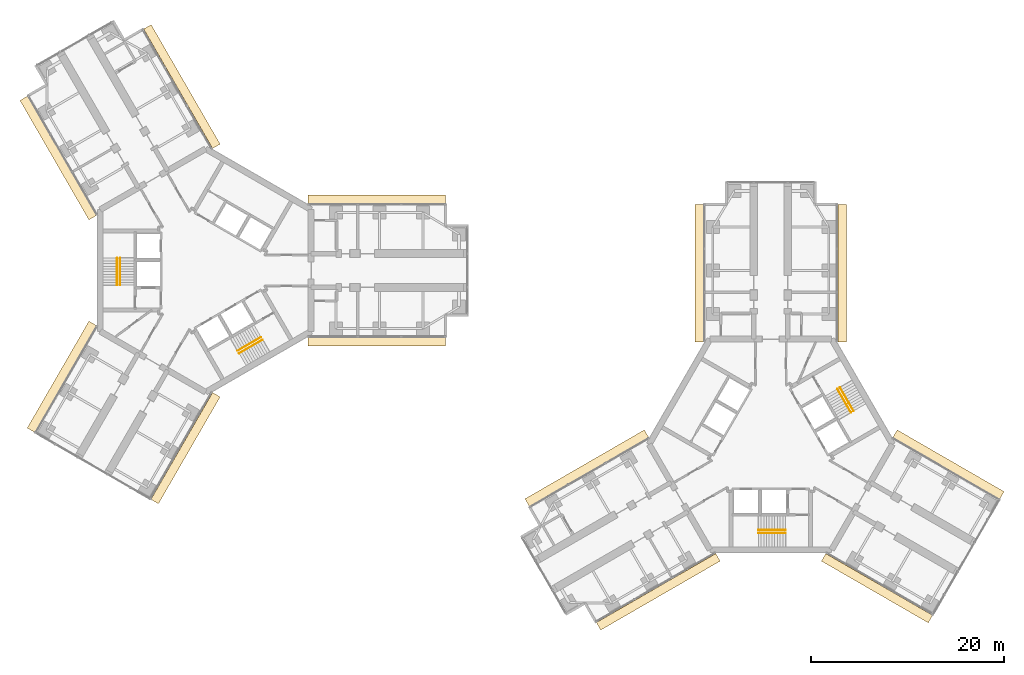
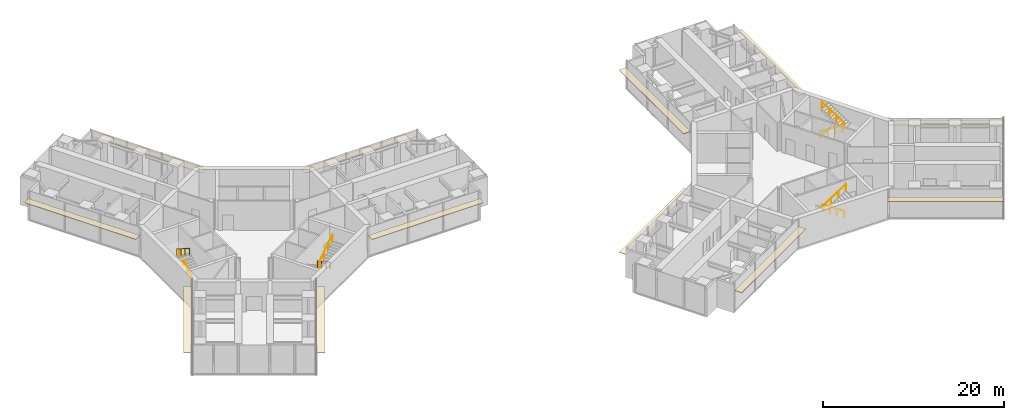
# One storey, part 21 of 21: 12 coverings, 8 railings.
"""IFC4 building model written with IfcOpenShell, lengths in metres."""

from ifc_helpers import new_model, si_unit, direction, frame, origin, origin_2d, place, context, subcontext, project, spatial, rectangle, circle, extrude, material, layer, layer_set, type_object, element, save


model = new_model("IFC4")

# Units and contexts
model_context = context("Model", 3, precision=1e-05, world=origin(), true_north=direction((0.0, 1.0)))
body_context = subcontext(model_context, "Body", "Model", "MODEL_VIEW")
ifc_project = project(units=[si_unit("LENGTHUNIT", "METRE"), si_unit("AREAUNIT", "SQUARE_METRE"), si_unit("VOLUMEUNIT", "CUBIC_METRE"), si_unit("PLANEANGLEUNIT", "RADIAN"), si_unit("MASSUNIT", "GRAM", prefix="KILO")], contexts=[model_context])

# Site, building, storey
site_placement = place(None, origin())
site = spatial("IfcSite", under=ifc_project, at=site_placement, CompositionType="ELEMENT")
building_placement = place(site_placement, origin())
building = spatial("IfcBuilding", under=site, at=building_placement, Name="Upepo Twin Towers", CompositionType="ELEMENT")
storey_placement = place(building_placement, frame((0.0, 0.0, 109.5)))
storey = spatial("IfcBuildingStorey", under=building, at=storey_placement, Name="L26", CompositionType="ELEMENT", Elevation=109.5)

# Coverings
ifc_material_1 = material(Name="Anodised aluminium, pale silver", Category="aluminium")
ifc_layer = layer(ifc_material_1, 0.080078125)
ifc_layer_set = layer_set([ifc_layer], Name="Brise-soleil blade 900 pale aluminium")
covering_type = type_object("IfcCoveringType", Name="Brise-soleil blade 900 pale aluminium", PredefinedType="USERDEFINED", material=ifc_layer_set)
for number, where, z_axis, x_axis, name in (
    (1, (17.718505859375, 7.389892578125, 2.909912109375), (0.0, 0.0, 1.0), (1.0, 0.0, 0.0), "T1 L26 wing A brise-soleil L"),
    (2, (17.718505859375, -7.389892578125, 2.909912109375), (0.0, 0.0, 1.0), (1.0, 0.0, 0.0), "T1 L26 wing A brise-soleil R"),
    (3, (-15.25927734375, 11.649658203125, 2.909912109375), (0.0, 0.0, 1.0), (-0.500000015115, 0.866025395058, 0.0), "T1 L26 wing B brise-soleil L"),
    (4, (-2.459228515625, 19.039794921875, 2.909912109375), (0.0, 0.0, 1.0), (-0.500000015115, 0.866025395058, 0.0), "T1 L26 wing B brise-soleil R"),
):
    element("IfcCovering", number, at=place(storey_placement, frame(where, z_axis=z_axis, x_axis=x_axis)), inside=storey, type_object=covering_type, Name=name, ObjectType="SUNSHADE", PredefinedType="USERDEFINED", context=body_context, shape_type="SweptSolid", body=[
        extrude(rectangle(XDim=14.262939453125, YDim=0.89990234375, at=origin_2d()), origin(), (0.0, 0.0, 1.0), 0.080078125),
    ])
for number, where, z_axis, x_axis, name in (
    (5, (-2.084228515625, -18.39013671875, 2.909912109375), (0.0, 0.0, 1.0), (-0.500000015115, -0.866025395058, 0.0), "T1 L26 wing C brise-soleil L"),
    (6, (-14.88427734375, -11.000244140625, 2.909912109375), (0.0, 0.0, 1.0), (-0.500000015115, -0.866025395058, 0.0), "T1 L26 wing C brise-soleil R"),
):
    element("IfcCovering", number, at=place(storey_placement, frame(where, z_axis=z_axis, x_axis=x_axis)), inside=storey, type_object=covering_type, Name=name, ObjectType="SUNSHADE", PredefinedType="USERDEFINED", context=body_context, shape_type="SweptSolid", body=[
        extrude(rectangle(XDim=12.762939453125, YDim=0.89990234375, at=origin_2d()), origin(), (0.0, 0.0, 1.0), 0.080078125),
    ])
for number, where, z_axis, x_axis, name in (
    (7, (51.110107421875, -0.281494140625, 2.909912109375), (0.0, 0.0, 1.0), (0.0, 1.0, 0.0), "T2 L26 wing A brise-soleil L"),
    (8, (65.889892578125, -0.281494140625, 2.909912109375), (0.0, 0.0, 1.0), (0.0, 1.0, 0.0), "T2 L26 wing A brise-soleil R"),
    (9, (46.850341796875, -33.25927734375, 2.909912109375), (0.0, 0.0, 1.0), (-0.866025395058, -0.500000015115, 0.0), "T2 L26 wing B brise-soleil L"),
    (10, (39.460205078125, -20.459228515625, 2.909912109375), (0.0, 0.0, 1.0), (-0.866025395058, -0.500000015115, 0.0), "T2 L26 wing B brise-soleil R"),
):
    element("IfcCovering", number, at=place(storey_placement, frame(where, z_axis=z_axis, x_axis=x_axis)), inside=storey, type_object=covering_type, Name=name, ObjectType="SUNSHADE", PredefinedType="USERDEFINED", context=body_context, shape_type="SweptSolid", body=[
        extrude(rectangle(XDim=14.262939453125, YDim=0.89990234375, at=origin_2d()), origin(), (0.0, 0.0, 1.0), 0.080078125),
    ])
for number, where, z_axis, x_axis, name in (
    (11, (76.89013671875, -20.084228515625, 2.909912109375), (0.0, 0.0, 1.0), (0.866025395058, -0.500000015115, 0.0), "T2 L26 wing C brise-soleil L"),
    (12, (69.500244140625, -32.88427734375, 2.909912109375), (0.0, 0.0, 1.0), (0.866025395058, -0.500000015115, 0.0), "T2 L26 wing C brise-soleil R"),
):
    element("IfcCovering", number, at=place(storey_placement, frame(where, z_axis=z_axis, x_axis=x_axis)), inside=storey, type_object=covering_type, Name=name, ObjectType="SUNSHADE", PredefinedType="USERDEFINED", context=body_context, shape_type="SweptSolid", body=[
        extrude(rectangle(XDim=12.762939453125, YDim=0.89990234375, at=origin_2d()), origin(), (0.0, 0.0, 1.0), 0.080078125),
    ])

# Railings
ifc_material_2 = material(Name="Stainless steel", Category="steel")
railing_type = type_object("IfcRailingType", Name="Stair handrail 900", PredefinedType="HANDRAIL", material=ifc_material_2)
railing_1_placement = place(storey_placement, frame((-8.85009765625, -1.52001953125, 0.181884765625)))
element("IfcRailing", 13, at=railing_1_placement, inside=storey, type_object=railing_type, Name="T1 stair S1 L26 handrail 1", PredefinedType="HANDRAIL", context=body_context, shape_type="SweptSolid", body=[
    extrude(circle(Radius=0.02392578125, at=origin_2d()), frame((0.0, 0.0, 0.8759765625), z_axis=(0.0, 0.838705829183, 0.544584733623), x_axis=(-1.0, 0.0, 0.0)), (0.0, 0.0, 1.0), 3.338623046875),
    extrude(circle(Radius=0.02099609375, at=origin_2d()), origin(), (0.0, 0.0, 1.0), 0.851806640625),
    extrude(circle(Radius=0.02099609375, at=origin_2d()), frame((0.0, 0.933349609375, 0.60595703125)), (0.0, 0.0, 1.0), 0.851806640625),
    extrude(circle(Radius=0.02099609375, at=origin_2d()), frame((0.0, 1.86669921875, 1.212158203125)), (0.0, 0.0, 1.0), 0.851806640625),
    extrude(circle(Radius=0.02099609375, at=origin_2d()), frame((0.0, 2.800048828125, 1.818115234375)), (0.0, 0.0, 1.0), 0.851806640625),
])
railing_2_placement = place(storey_placement, frame((-9.158447265625, 1.280029296875, 2.181884765625)))
element("IfcRailing", 14, at=railing_2_placement, inside=storey, type_object=railing_type, Name="T1 stair S1 L26 handrail 2", PredefinedType="HANDRAIL", context=body_context, shape_type="SweptSolid", body=[
    extrude(circle(Radius=0.02392578125, at=origin_2d()), frame((0.0, 0.0, 0.8759765625), z_axis=(0.0, -0.838705829183, 0.544584733623), x_axis=(1.0, 0.0, 0.0)), (0.0, 0.0, 1.0), 3.338623046875),
    extrude(circle(Radius=0.02099609375, at=origin_2d()), origin(), (0.0, 0.0, 1.0), 0.851806640625),
    extrude(circle(Radius=0.02099609375, at=origin_2d()), frame((0.0, -0.933349609375, 0.60595703125)), (0.0, 0.0, 1.0), 0.851806640625),
    extrude(circle(Radius=0.02099609375, at=origin_2d()), frame((0.0, -1.86669921875, 1.212158203125)), (0.0, 0.0, 1.0), 0.851806640625),
    extrude(circle(Radius=0.02099609375, at=origin_2d()), frame((0.0, -2.800048828125, 1.818115234375)), (0.0, 0.0, 1.0), 0.851806640625),
])
railing_3_placement = place(storey_placement, frame((5.741455078125, -6.904296875, 0.181884765625)))
element("IfcRailing", 15, at=railing_3_placement, inside=storey, type_object=railing_type, Name="T1 stair S2 L26 handrail 1", PredefinedType="HANDRAIL", context=body_context, shape_type="SweptSolid", body=[
    extrude(circle(Radius=0.02392578125, at=origin_2d()), frame((0.0, 0.0, 0.8759765625), z_axis=(-0.726348578268, -0.419370693282, 0.544560340518), x_axis=(0.500011755427, -0.866018616679, 0.0)), (0.0, 0.0, 1.0), 3.338623046875),
    extrude(circle(Radius=0.02099609375, at=origin_2d()), origin(), (0.0, 0.0, 1.0), 0.851806640625),
    extrude(circle(Radius=0.02099609375, at=origin_2d()), frame((-0.808349609375, -0.466796875, 0.60595703125)), (0.0, 0.0, 1.0), 0.851806640625),
    extrude(circle(Radius=0.02099609375, at=origin_2d()), frame((-1.61669921875, -0.933349609375, 1.212158203125)), (0.0, 0.0, 1.0), 0.851806640625),
    extrude(circle(Radius=0.02099609375, at=origin_2d()), frame((-2.425048828125, -1.400146484375, 1.818115234375)), (0.0, 0.0, 1.0), 0.851806640625),
])
railing_4_placement = place(storey_placement, frame((3.470703125, -8.5712890625, 2.181884765625)))
element("IfcRailing", 16, at=railing_4_placement, inside=storey, type_object=railing_type, Name="T1 stair S2 L26 handrail 2", PredefinedType="HANDRAIL", context=body_context, shape_type="SweptSolid", body=[
    extrude(circle(Radius=0.02392578125, at=origin_2d()), frame((0.0, 0.0, 0.8759765625), z_axis=(0.726336304947, 0.419332699614, 0.544605966869), x_axis=(-0.49998411664, 0.866034573852, 0.0)), (0.0, 0.0, 1.0), 3.33837890625),
    extrude(circle(Radius=0.02099609375, at=origin_2d()), origin(), (0.0, 0.0, 1.0), 0.851806640625),
    extrude(circle(Radius=0.02099609375, at=origin_2d()), frame((0.808349609375, 0.466552734375, 0.60595703125)), (0.0, 0.0, 1.0), 0.851806640625),
    extrude(circle(Radius=0.02099609375, at=origin_2d()), frame((1.616455078125, 0.933349609375, 1.212158203125)), (0.0, 0.0, 1.0), 0.851806640625),
    extrude(circle(Radius=0.02099609375, at=origin_2d()), frame((2.4248046875, 1.39990234375, 1.818115234375)), (0.0, 0.0, 1.0), 0.851806640625),
])
railing_5_placement = place(storey_placement, frame((60.02001953125, -26.85009765625, 0.181884765625)))
element("IfcRailing", 17, at=railing_5_placement, inside=storey, type_object=railing_type, Name="T2 stair S1 L26 handrail 1", PredefinedType="HANDRAIL", context=body_context, shape_type="SweptSolid", body=[
    extrude(circle(Radius=0.02392578125, at=origin_2d()), frame((0.0, 0.0, 0.8759765625), z_axis=(-0.838705829183, 0.0, 0.544584733623), x_axis=(0.0, -1.0, 0.0)), (0.0, 0.0, 1.0), 3.338623046875),
    extrude(circle(Radius=0.02099609375, at=origin_2d()), origin(), (0.0, 0.0, 1.0), 0.851806640625),
    extrude(circle(Radius=0.02099609375, at=origin_2d()), frame((-0.933349609375, 0.0, 0.60595703125)), (0.0, 0.0, 1.0), 0.851806640625),
    extrude(circle(Radius=0.02099609375, at=origin_2d()), frame((-1.86669921875, 0.0, 1.212158203125)), (0.0, 0.0, 1.0), 0.851806640625),
    extrude(circle(Radius=0.02099609375, at=origin_2d()), frame((-2.800048828125, 0.0, 1.818115234375)), (0.0, 0.0, 1.0), 0.851806640625),
])
railing_6_placement = place(storey_placement, frame((57.219970703125, -27.158447265625, 2.181884765625)))
element("IfcRailing", 18, at=railing_6_placement, inside=storey, type_object=railing_type, Name="T2 stair S1 L26 handrail 2", PredefinedType="HANDRAIL", context=body_context, shape_type="SweptSolid", body=[
    extrude(circle(Radius=0.02392578125, at=origin_2d()), frame((0.0, 0.0, 0.8759765625), z_axis=(0.838705829183, 0.0, 0.544584733623), x_axis=(0.0, 1.0, 0.0)), (0.0, 0.0, 1.0), 3.338623046875),
    extrude(circle(Radius=0.02099609375, at=origin_2d()), origin(), (0.0, 0.0, 1.0), 0.851806640625),
    extrude(circle(Radius=0.02099609375, at=origin_2d()), frame((0.933349609375, 0.0, 0.60595703125)), (0.0, 0.0, 1.0), 0.851806640625),
    extrude(circle(Radius=0.02099609375, at=origin_2d()), frame((1.86669921875, 0.0, 1.212158203125)), (0.0, 0.0, 1.0), 0.851806640625),
    extrude(circle(Radius=0.02099609375, at=origin_2d()), frame((2.800048828125, 0.0, 1.818115234375)), (0.0, 0.0, 1.0), 0.851806640625),
])
railing_7_placement = place(storey_placement, frame((65.404296875, -12.258544921875, 0.181884765625)))
element("IfcRailing", 19, at=railing_7_placement, inside=storey, type_object=railing_type, Name="T2 stair S2 L26 handrail 1", PredefinedType="HANDRAIL", context=body_context, shape_type="SweptSolid", body=[
    extrude(circle(Radius=0.02392578125, at=origin_2d()), frame((0.0, 0.0, 0.8759765625), z_axis=(0.419370693282, -0.726348578268, 0.544560340518), x_axis=(0.866018616679, 0.500011755427, 0.0)), (0.0, 0.0, 1.0), 3.338623046875),
    extrude(circle(Radius=0.02099609375, at=origin_2d()), origin(), (0.0, 0.0, 1.0), 0.851806640625),
    extrude(circle(Radius=0.02099609375, at=origin_2d()), frame((0.466796875, -0.808349609375, 0.60595703125)), (0.0, 0.0, 1.0), 0.851806640625),
    extrude(circle(Radius=0.02099609375, at=origin_2d()), frame((0.933349609375, -1.61669921875, 1.212158203125)), (0.0, 0.0, 1.0), 0.851806640625),
    extrude(circle(Radius=0.02099609375, at=origin_2d()), frame((1.400146484375, -2.425048828125, 1.818115234375)), (0.0, 0.0, 1.0), 0.851806640625),
])
railing_8_placement = place(storey_placement, frame((67.0712890625, -14.529296875, 2.181884765625)))
element("IfcRailing", 20, at=railing_8_placement, inside=storey, type_object=railing_type, Name="T2 stair S2 L26 handrail 2", PredefinedType="HANDRAIL", context=body_context, shape_type="SweptSolid", body=[
    extrude(circle(Radius=0.02392578125, at=origin_2d()), frame((0.0, 0.0, 0.8759765625), z_axis=(-0.419332699614, 0.726336304947, 0.544605966869), x_axis=(-0.866034573852, -0.49998411664, 0.0)), (0.0, 0.0, 1.0), 3.33837890625),
    extrude(circle(Radius=0.02099609375, at=origin_2d()), origin(), (0.0, 0.0, 1.0), 0.851806640625),
    extrude(circle(Radius=0.02099609375, at=origin_2d()), frame((-0.466552734375, 0.808349609375, 0.60595703125)), (0.0, 0.0, 1.0), 0.851806640625),
    extrude(circle(Radius=0.02099609375, at=origin_2d()), frame((-0.933349609375, 1.616455078125, 1.212158203125)), (0.0, 0.0, 1.0), 0.851806640625),
    extrude(circle(Radius=0.02099609375, at=origin_2d()), frame((-1.39990234375, 2.4248046875, 1.818115234375)), (0.0, 0.0, 1.0), 0.851806640625),
])

save(model, "model.ifc")
